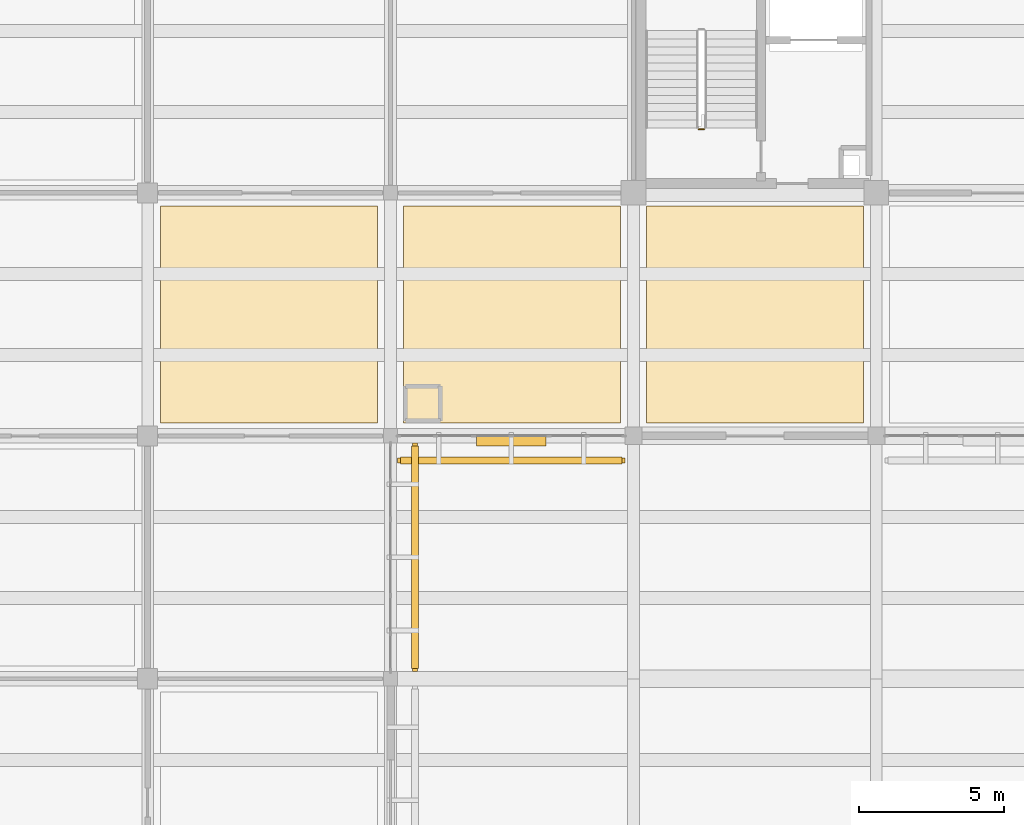
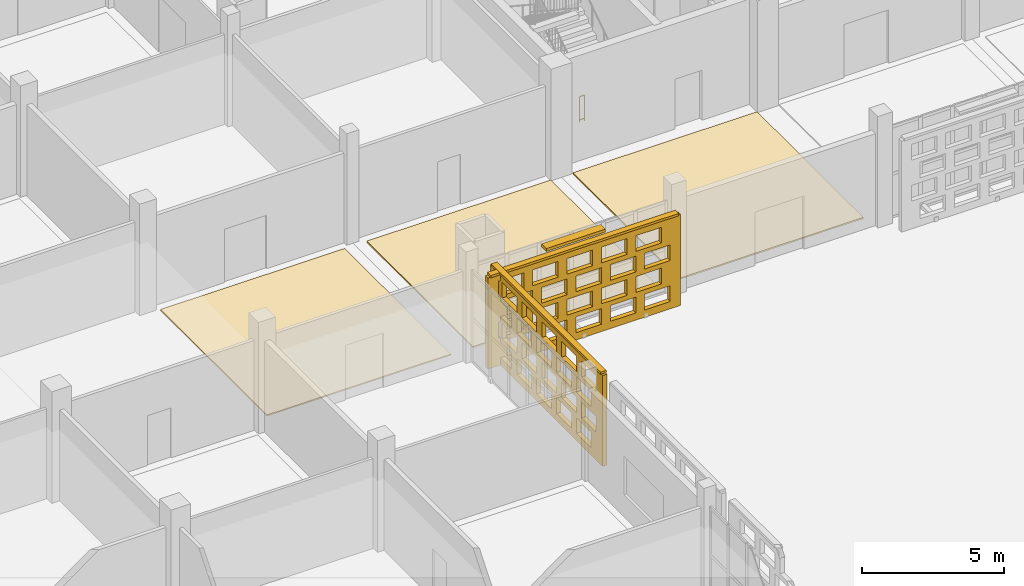
# One storey, part 98 of 129: 5 coverings, 3 shading devices, 1 railing, 40 openings.
"""IFC4 building model written with IfcOpenShell, lengths in metres."""

import ifcopenshell
import ifcopenshell.guid

model = None  # the IFC model being written
_history = None  # IfcOwnerHistory: only IFC2X3 demands one
_inside = {}  # id of a spatial element -> (the spatial element, [elements in it])
_under = {}  # id of a project, library or spatial element -> (it, [spatial elements below it])
_declared = {}  # id of a project -> (the project, [libraries it declares])
_typed = {}  # id of a type object -> (the type object, [elements of that type])
_made_of = {}  # id of a material, layer set ... -> (it, [elements and type objects made of it])


def new_model(schema):
    """Start an empty IFC model of exactly this schema.

    Asked for "IFC4X3", IfcOpenShell would pick the latest addendum, in which some entities
    have other attributes; the version numbers below select the first issue.
    IFC2X3 requires an IfcOwnerHistory on every rooted entity: one is made here for all.
    """
    global model, _history
    if schema == "IFC4X3":
        model = ifcopenshell.file(schema_version=(4, 3, 0, 0))
    else:
        model = ifcopenshell.file(schema=schema)
    _inside.clear()
    _under.clear()
    _declared.clear()
    _typed.clear()
    _made_of.clear()
    _history = None
    if model.schema == "IFC2X3":
        org = make("IfcOrganization", Name="unknown")
        user = make(
            "IfcPersonAndOrganization",
            ThePerson=make("IfcPerson", FamilyName="unknown"),
            TheOrganization=org,
        )
        app = make(
            "IfcApplication",
            ApplicationDeveloper=org,
            Version="unknown",
            ApplicationFullName="unknown",
            ApplicationIdentifier="unknown",
        )
        _history = make(
            "IfcOwnerHistory",
            OwningUser=user,
            OwningApplication=app,
            ChangeAction="ADDED",
            CreationDate=0,
        )
    return model


def make(cls, **values):
    """One entity of the class cls with the attributes given. An attribute that is None is left unset."""
    return model.create_entity(
        cls, **{name: value for name, value in values.items() if value is not None}
    )


def rooted(cls, **values):
    """An entity with a GlobalId (a new one), such as an element, a storey or a relation."""
    return make(cls, GlobalId=ifcopenshell.guid.new(), OwnerHistory=_history, **values)


def si_unit(unit_type, name, prefix=None):
    """IfcSIUnit, for example si_unit("LENGTHUNIT", "METRE", prefix="MILLI")."""
    return make("IfcSIUnit", UnitType=unit_type, Prefix=prefix, Name=name)


def assignment(units):
    """IfcUnitAssignment: the units of a project."""
    return None if units is None else make("IfcUnitAssignment", Units=units)


def point(xyz):
    """IfcCartesianPoint."""
    return None if xyz is None else make("IfcCartesianPoint", Coordinates=xyz)


def direction(xyz):
    """IfcDirection."""
    return None if xyz is None else make("IfcDirection", DirectionRatios=xyz)


def frame(location, z_axis=None, x_axis=None):
    """IfcAxis2Placement3D, a coordinate frame: its origin and axes. An axis left out is left unset."""
    return make(
        "IfcAxis2Placement3D",
        Location=point(location),
        Axis=direction(z_axis),
        RefDirection=direction(x_axis),
    )


def frame_2d(location, x_axis=None):
    """IfcAxis2Placement2D, a coordinate frame in the plane: its origin and x axis."""
    return make(
        "IfcAxis2Placement2D", Location=point(location), RefDirection=direction(x_axis)
    )


def origin():
    """The frame at (0, 0, 0) with its axes left unset."""
    return frame((0.0, 0.0, 0.0))


def origin_2d():
    """The frame at (0, 0) in the plane with its x axis left unset."""
    return frame_2d((0.0, 0.0))


def place(relative_to, where):
    """IfcLocalPlacement: puts the frame where relative to a parent placement (None: the world)."""
    return make(
        "IfcLocalPlacement", PlacementRelTo=relative_to, RelativePlacement=where
    )


def context(
    kind, dimensions, precision=None, world=None, true_north=None, identifier=None
):
    """IfcGeometricRepresentationContext, for example the 3D "Model" context."""
    return make(
        "IfcGeometricRepresentationContext",
        ContextIdentifier=identifier,
        ContextType=kind,
        CoordinateSpaceDimension=dimensions,
        Precision=precision,
        WorldCoordinateSystem=world,
        TrueNorth=true_north,
    )


def subcontext(parent, identifier, kind, view, scale=None):
    """IfcGeometricRepresentationSubContext, for example "Body" below "Model"."""
    return make(
        "IfcGeometricRepresentationSubContext",
        ContextIdentifier=identifier,
        ContextType=kind,
        ParentContext=parent,
        TargetScale=scale,
        TargetView=view,
    )


def project(units=None, contexts=None):
    """IfcProject with its units and contexts."""
    return rooted(
        "IfcProject",
        Name="project",
        RepresentationContexts=contexts,
        UnitsInContext=assignment(units),
    )


def spatial(cls, under=None, at=None, **own):
    """A site, building, storey or space (cls), placed at a placement, below another one or the project."""
    s = rooted(cls, ObjectPlacement=at, **own)
    if under is not None:
        _under.setdefault(under.id(), (under, []))[1].append(s)
    return s


def profile(cls, at=None, kind="AREA", **sizes):
    """A parametric profile (cls). Its sizes go by their IFC names, for example OverallWidth=200.0."""
    return make(cls, ProfileType=kind, Position=at, **sizes)


def rectangle(**sizes):
    """IfcRectangleProfileDef."""
    return profile("IfcRectangleProfileDef", **sizes)


def circle(**sizes):
    """IfcCircleProfileDef."""
    return profile("IfcCircleProfileDef", **sizes)


def extrude(swept, where, along, depth):
    """IfcExtrudedAreaSolid: the profile swept, set in the frame where, extruded along a direction by depth."""
    return make(
        "IfcExtrudedAreaSolid",
        SweptArea=swept,
        Position=where,
        ExtrudedDirection=direction(along),
        Depth=depth,
    )


def shape(context_of_items, identifier, shape_type, items):
    """IfcShapeRepresentation: the items that make up one representation, for example the "Body"."""
    return make(
        "IfcShapeRepresentation",
        ContextOfItems=context_of_items,
        RepresentationIdentifier=identifier,
        RepresentationType=shape_type,
        Items=items,
    )


def material(Name=None, Category=None):
    """IfcMaterial."""
    return make("IfcMaterial", Name=Name, Category=Category)


def layer(
    of_material, thickness, ventilated=None, Name=None, Category=None, Priority=None
):
    """IfcMaterialLayer: one layer of a wall or slab, of a material (None: an air gap)."""
    return make(
        "IfcMaterialLayer",
        Material=of_material,
        LayerThickness=thickness,
        IsVentilated=ventilated,
        Name=Name,
        Category=Category,
        Priority=Priority,
    )


def layer_set(layers, Name=None):
    """IfcMaterialLayerSet."""
    return make("IfcMaterialLayerSet", MaterialLayers=layers, LayerSetName=Name)


def made_of(thing, what):
    """Note that an element or type object is made of a material, layer set ...; save() writes the relation."""
    if what is not None:
        _made_of.setdefault(what.id(), (what, []))[1].append(thing)
    return thing


def type_object(cls, material=None, **own):
    """A type object (cls), such as IfcWallType, which elements share."""
    return made_of(rooted(cls, **own), material)


def element(
    cls,
    number,
    at=None,
    inside=None,
    cuts=None,
    type_object=None,
    material=None,
    context=None,
    identifier="Body",
    shape_type=None,
    held_by="IfcProductDefinitionShape",
    body=None,
    shapes=None,
    **own,
):
    """One element of the class cls, such as IfcWall. Its Tag is "e" and its number.

    at: its placement. inside: the storey or other place that contains it. cuts: it is an
    opening in that element (IfcRelVoidsElement). A single representation is given by context,
    identifier, shape_type and body (its items); several are given by shapes. held_by: the class
    of the entity that holds the representations. save() writes the other relations.
    """
    e = rooted(cls, Tag="e%d" % number, ObjectPlacement=at, **own)
    if body is not None:
        shapes = [shape(context, identifier, shape_type, body)]
    if shapes is not None:
        e.Representation = make(held_by, Representations=shapes)
    if inside is not None:
        _inside.setdefault(inside.id(), (inside, []))[1].append(e)
    if cuts is not None:
        rooted(
            "IfcRelVoidsElement", RelatingBuildingElement=cuts, RelatedOpeningElement=e
        )
    if type_object is not None:
        _typed.setdefault(type_object.id(), (type_object, []))[1].append(e)
    return made_of(e, material)


def aggregate(whole, parts):
    """IfcRelAggregates: a whole, such as a stair, and the parts it consists of."""
    return rooted("IfcRelAggregates", RelatingObject=whole, RelatedObjects=parts)


def save(model, path):
    """Write the relations noted so far, then the file.

    IfcRelAggregates (storeys below a building ...), IfcRelContainedInSpatialStructure (elements
    in a storey), IfcRelDefinesByType, IfcRelAssociatesMaterial and IfcRelDeclares: one each for
    every whole, place, type object, material and project.
    """
    for whole, parts in _under.values():
        aggregate(whole, parts)
    for where, things in _inside.values():
        rooted(
            "IfcRelContainedInSpatialStructure",
            RelatedElements=things,
            RelatingStructure=where,
        )
    for kind, things in _typed.values():
        rooted("IfcRelDefinesByType", RelatedObjects=things, RelatingType=kind)
    for what, things in _made_of.values():
        rooted("IfcRelAssociatesMaterial", RelatedObjects=things, RelatingMaterial=what)
    for by, libraries in _declared.values():
        rooted("IfcRelDeclares", RelatingContext=by, RelatedDefinitions=libraries)
    model.write(path)


model = new_model("IFC4")

# Units and contexts
model_context = context("Model", 3, precision=1e-05, world=origin(), true_north=direction((0.0, 1.0)))
body_context = subcontext(model_context, "Body", "Model", "MODEL_VIEW")
ifc_project = project(units=[si_unit("LENGTHUNIT", "METRE"), si_unit("AREAUNIT", "SQUARE_METRE"), si_unit("VOLUMEUNIT", "CUBIC_METRE"), si_unit("PLANEANGLEUNIT", "RADIAN"), si_unit("MASSUNIT", "GRAM", prefix="KILO")], contexts=[model_context])

# Site, building, storey
site_placement = place(None, origin())
site = spatial("IfcSite", under=ifc_project, at=site_placement, CompositionType="ELEMENT")
building_placement = place(site_placement, origin())
building = spatial("IfcBuilding", under=site, at=building_placement, Name="Varnapada Polytechnic", CompositionType="ELEMENT")
storey_placement = place(building_placement, origin())
storey = spatial("IfcBuildingStorey", under=building, at=storey_placement, Name="L00", CompositionType="ELEMENT", Elevation=0.0)

# Coverings
ifc_material_1 = material(Name="Anti-Static Raised Laboratory Flooring")
ifc_layer_1 = layer(ifc_material_1, 0.06005859375)
ifc_layer_set_1 = layer_set([ifc_layer_1], Name="Anti-Static Raised Laboratory Flooring")
covering_type_1 = type_object("IfcCoveringType", Name="Floor Finish FLR-02", PredefinedType="FLOORING", material=ifc_layer_set_1)
for number, where, z_axis, x_axis, name in (
    (1, (46.199951171875, 88.199951171875, 0.0), (0.0, 0.0, 1.0), (1.0, 0.0, 0.0), "L00 floor finish panel (6,11)"),
    (2, (54.60009765625, 88.199951171875, 0.0), (0.0, 0.0, 1.0), (1.0, 0.0, 0.0), "L00 floor finish panel (7,11)"),
):
    element("IfcCovering", number, at=place(storey_placement, frame(where, z_axis=z_axis, x_axis=x_axis)), inside=storey, type_object=covering_type_1, Name=name, PredefinedType="FLOORING", context=body_context, shape_type="SweptSolid", body=[
        extrude(rectangle(XDim=7.5, YDim=7.5, at=origin_2d()), origin(), (0.0, 0.0, 1.0), 0.06005859375),
    ])
ifc_material_2 = material(Name="End-Grain Timber Studio Block Flooring", Category="wood")
ifc_layer_2 = layer(ifc_material_2, 0.054931640625)
ifc_layer_set_2 = layer_set([ifc_layer_2], Name="End-Grain Timber Studio Block Flooring")
covering_type_2 = type_object("IfcCoveringType", Name="Floor Finish FLR-04", PredefinedType="FLOORING", material=ifc_layer_set_2)
covering_1_placement = place(storey_placement, frame((37.800048828125, 88.199951171875, 0.0), z_axis=(0.0, 0.0, 1.0), x_axis=(1.0, 0.0, 0.0)))
element("IfcCovering", 3, at=covering_1_placement, inside=storey, type_object=covering_type_2, Name="L00 floor finish panel (5,11)", PredefinedType="FLOORING", context=body_context, shape_type="SweptSolid", body=[
    extrude(rectangle(XDim=7.5, YDim=7.5, at=origin_2d()), origin(), (0.0, 0.0, 1.0), 0.054931640625),
])

# Shading device
ifc_material_3 = material(Name="Anodised aluminium", Category="aluminium")
ifc_layer_3 = layer(ifc_material_3, 0.35009765625)
ifc_layer_set_3 = layer_set([ifc_layer_3], Name="Anodised aluminium")
shading_device_type_1 = type_object("IfcShadingDeviceType", Name="Solar Louvre LVR-01", PredefinedType="JALOUSIE", material=ifc_layer_set_3)
shading_device_1_placement = place(storey_placement, frame((46.175048828125, 83.820068359375, 3.760009765625), z_axis=(0.0, 0.0, 1.0), x_axis=(-1.0, 0.0, 0.0)))
element("IfcShadingDevice", 4, at=shading_device_1_placement, inside=storey, type_object=shading_device_type_1, Name="L00 aluminium sun louvre 37", PredefinedType="JALOUSIE", context=body_context, shape_type="SweptSolid", body=[
    extrude(rectangle(XDim=2.39990234375, YDim=0.340087890625, at=origin_2d()), origin(), (0.0, 0.0, 1.0), 0.1201171875),
])

# Railing
ifc_material_4 = material(Name="Brushed Stainless Steel 316", Category="steel")
railing_type = type_object("IfcRailingType", Name="Stair Well Guard Rail SGR-01", PredefinedType="BALUSTRADE", material=ifc_material_4)
railing_placement = place(storey_placement, frame((52.85009765625, 94.60009765625, 0.0)))
element("IfcRailing", 5, at=railing_placement, inside=storey, type_object=railing_type, Name="L00 ST-4 stair guard 4", PredefinedType="BALUSTRADE", context=body_context, shape_type="SweptSolid", body=[
    extrude(circle(Radius=0.02392578125, at=origin_2d()), frame((0.0, 0.0, 1.09619140625), z_axis=(-1.0, 0.0, 0.0), x_axis=(0.0, -1.0, 0.0)), (0.0, 0.0, 1.0), 0.2001953125),
    extrude(circle(Radius=0.02392578125, at=origin_2d()), frame((0.0, 0.0, 0.10009765625), z_axis=(-1.0, 0.0, 0.0), x_axis=(0.0, -1.0, 0.0)), (0.0, 0.0, 1.0), 0.2001953125),
    extrude(circle(Radius=0.02099609375, at=origin_2d()), origin(), (0.0, 0.0, 1.0), 1.072021484375),
    extrude(circle(Radius=0.02099609375, at=origin_2d()), frame((-0.2001953125, 0.0, 0.0)), (0.0, 0.0, 1.0), 1.072021484375),
])

# Covering, openings
ifc_material_5 = material(Name="Earth-toned architectural terracotta screen block", Category="masonry")
ifc_layer_4 = layer(ifc_material_5, 0.1201171875)
ifc_layer_set_4 = layer_set([ifc_layer_4], Name="Earth-toned architectural terracotta screen block")
covering_type_3 = type_object("IfcCoveringType", Name="Terracotta Screen Cladding CLD-01", PredefinedType="CLADDING", material=ifc_layer_set_4)
covering_2_placement = place(storey_placement, frame((42.85009765625, 83.75, 0.0), z_axis=(0.0, 0.0, 1.0), x_axis=(0.0, -1.0, 0.0)))
covering_2 = element("IfcCovering", 6, at=covering_2_placement, inside=storey, type_object=covering_type_3, Name="L00 perforated terracotta block screen (29)", PredefinedType="CLADDING", context=body_context, shape_type="SweptSolid", body=[
    extrude(rectangle(XDim=7.89990234375, YDim=0.179931640625, at=frame_2d((3.949951171875, 0.0))), origin(), (0.0, 0.0, 1.0), 3.919921875),
])
opening_1_placement = place(covering_2_placement, frame((0.449951171875, 0.0, 0.313720703125)))
element("IfcOpeningElement", 7, at=opening_1_placement, cuts=covering_2, Name="Screen perforation TBS-L00-028.1", PredefinedType="OPENING", context=body_context, shape_type="SweptSolid", body=[
    extrude(rectangle(XDim=1.0400390625, YDim=0.679931640625, at=frame_2d((0.52001953125, 0.33984375))), frame((0.0, 0.099853515625, 0.0), z_axis=(0.0, -1.0, 0.0), x_axis=(1.0, 0.0, 0.0)), (0.0, 0.0, 1.0), 0.199951171875),
])
opening_2_placement = place(covering_2_placement, frame((1.85009765625, 0.0, 0.313720703125)))
element("IfcOpeningElement", 8, at=opening_2_placement, cuts=covering_2, Name="Screen perforation TBS-L00-028.2", PredefinedType="OPENING", context=body_context, shape_type="SweptSolid", body=[
    extrude(rectangle(XDim=1.0400390625, YDim=0.679931640625, at=frame_2d((0.52001953125, 0.33984375))), frame((0.0, 0.099853515625, 0.0), z_axis=(0.0, -1.0, 0.0), x_axis=(1.0, 0.0, 0.0)), (0.0, 0.0, 1.0), 0.199951171875),
])
opening_3_placement = place(covering_2_placement, frame((3.25, 0.0, 0.313720703125)))
element("IfcOpeningElement", 9, at=opening_3_placement, cuts=covering_2, Name="Screen perforation TBS-L00-028.3", PredefinedType="OPENING", context=body_context, shape_type="SweptSolid", body=[
    extrude(rectangle(XDim=1.0400390625, YDim=0.679931640625, at=frame_2d((0.52001953125, 0.33984375))), frame((0.0, 0.099853515625, 0.0), z_axis=(0.0, -1.0, 0.0), x_axis=(1.0, 0.0, 0.0)), (0.0, 0.0, 1.0), 0.199951171875),
])
opening_4_placement = place(covering_2_placement, frame((4.64990234375, 0.0, 0.313720703125)))
element("IfcOpeningElement", 10, at=opening_4_placement, cuts=covering_2, Name="Screen perforation TBS-L00-028.4", PredefinedType="OPENING", context=body_context, shape_type="SweptSolid", body=[
    extrude(rectangle(XDim=1.0400390625, YDim=0.679931640625, at=frame_2d((0.52001953125, 0.33984375))), frame((0.0, 0.099853515625, 0.0), z_axis=(0.0, -1.0, 0.0), x_axis=(1.0, 0.0, 0.0)), (0.0, 0.0, 1.0), 0.199951171875),
])
opening_5_placement = place(covering_2_placement, frame((6.050048828125, 0.0, 0.313720703125)))
element("IfcOpeningElement", 11, at=opening_5_placement, cuts=covering_2, Name="Screen perforation TBS-L00-028.5", PredefinedType="OPENING", context=body_context, shape_type="SweptSolid", body=[
    extrude(rectangle(XDim=1.0400390625, YDim=0.679931640625, at=frame_2d((0.52001953125, 0.33984375))), frame((0.0, 0.099853515625, 0.0), z_axis=(0.0, -1.0, 0.0), x_axis=(1.0, 0.0, 0.0)), (0.0, 0.0, 1.0), 0.199951171875),
])
opening_6_placement = place(covering_2_placement, frame((0.81005859375, 0.0, 1.195556640625)))
element("IfcOpeningElement", 12, at=opening_6_placement, cuts=covering_2, Name="Screen perforation TBS-L00-028.6", PredefinedType="OPENING", context=body_context, shape_type="SweptSolid", body=[
    extrude(rectangle(XDim=1.0400390625, YDim=0.679931640625, at=frame_2d((0.52001953125, 0.33984375))), frame((0.0, 0.099853515625, 0.0), z_axis=(0.0, -1.0, 0.0), x_axis=(1.0, 0.0, 0.0)), (0.0, 0.0, 1.0), 0.199951171875),
])
opening_7_placement = place(covering_2_placement, frame((2.2099609375, 0.0, 1.195556640625)))
element("IfcOpeningElement", 13, at=opening_7_placement, cuts=covering_2, Name="Screen perforation TBS-L00-028.7", PredefinedType="OPENING", context=body_context, shape_type="SweptSolid", body=[
    extrude(rectangle(XDim=1.0400390625, YDim=0.679931640625, at=frame_2d((0.52001953125, 0.33984375))), frame((0.0, 0.099853515625, 0.0), z_axis=(0.0, -1.0, 0.0), x_axis=(1.0, 0.0, 0.0)), (0.0, 0.0, 1.0), 0.199951171875),
])
opening_8_placement = place(covering_2_placement, frame((3.610107421875, 0.0, 1.195556640625)))
element("IfcOpeningElement", 14, at=opening_8_placement, cuts=covering_2, Name="Screen perforation TBS-L00-028.8", PredefinedType="OPENING", context=body_context, shape_type="SweptSolid", body=[
    extrude(rectangle(XDim=1.0400390625, YDim=0.679931640625, at=frame_2d((0.52001953125, 0.33984375))), frame((0.0, 0.099853515625, 0.0), z_axis=(0.0, -1.0, 0.0), x_axis=(1.0, 0.0, 0.0)), (0.0, 0.0, 1.0), 0.199951171875),
])
opening_9_placement = place(covering_2_placement, frame((5.010009765625, 0.0, 1.195556640625)))
element("IfcOpeningElement", 15, at=opening_9_placement, cuts=covering_2, Name="Screen perforation TBS-L00-028.9", PredefinedType="OPENING", context=body_context, shape_type="SweptSolid", body=[
    extrude(rectangle(XDim=1.0400390625, YDim=0.679931640625, at=frame_2d((0.52001953125, 0.33984375))), frame((0.0, 0.099853515625, 0.0), z_axis=(0.0, -1.0, 0.0), x_axis=(1.0, 0.0, 0.0)), (0.0, 0.0, 1.0), 0.199951171875),
])
opening_10_placement = place(covering_2_placement, frame((6.409912109375, 0.0, 1.195556640625)))
element("IfcOpeningElement", 16, at=opening_10_placement, cuts=covering_2, Name="Screen perforation TBS-L00-028.10", PredefinedType="OPENING", context=body_context, shape_type="SweptSolid", body=[
    extrude(rectangle(XDim=1.0400390625, YDim=0.679931640625, at=frame_2d((0.52001953125, 0.33984375))), frame((0.0, 0.099853515625, 0.0), z_axis=(0.0, -1.0, 0.0), x_axis=(1.0, 0.0, 0.0)), (0.0, 0.0, 1.0), 0.199951171875),
])
opening_11_placement = place(covering_2_placement, frame((0.449951171875, 0.0, 2.07763671875)))
element("IfcOpeningElement", 17, at=opening_11_placement, cuts=covering_2, Name="Screen perforation TBS-L00-028.11", PredefinedType="OPENING", context=body_context, shape_type="SweptSolid", body=[
    extrude(rectangle(XDim=1.0400390625, YDim=0.679931640625, at=frame_2d((0.52001953125, 0.33984375))), frame((0.0, 0.099853515625, 0.0), z_axis=(0.0, -1.0, 0.0), x_axis=(1.0, 0.0, 0.0)), (0.0, 0.0, 1.0), 0.199951171875),
])
opening_12_placement = place(covering_2_placement, frame((1.85009765625, 0.0, 2.07763671875)))
element("IfcOpeningElement", 18, at=opening_12_placement, cuts=covering_2, Name="Screen perforation TBS-L00-028.12", PredefinedType="OPENING", context=body_context, shape_type="SweptSolid", body=[
    extrude(rectangle(XDim=1.0400390625, YDim=0.679931640625, at=frame_2d((0.52001953125, 0.33984375))), frame((0.0, 0.099853515625, 0.0), z_axis=(0.0, -1.0, 0.0), x_axis=(1.0, 0.0, 0.0)), (0.0, 0.0, 1.0), 0.199951171875),
])
opening_13_placement = place(covering_2_placement, frame((3.25, 0.0, 2.07763671875)))
element("IfcOpeningElement", 19, at=opening_13_placement, cuts=covering_2, Name="Screen perforation TBS-L00-028.13", PredefinedType="OPENING", context=body_context, shape_type="SweptSolid", body=[
    extrude(rectangle(XDim=1.0400390625, YDim=0.679931640625, at=frame_2d((0.52001953125, 0.33984375))), frame((0.0, 0.099853515625, 0.0), z_axis=(0.0, -1.0, 0.0), x_axis=(1.0, 0.0, 0.0)), (0.0, 0.0, 1.0), 0.199951171875),
])
opening_14_placement = place(covering_2_placement, frame((4.64990234375, 0.0, 2.07763671875)))
element("IfcOpeningElement", 20, at=opening_14_placement, cuts=covering_2, Name="Screen perforation TBS-L00-028.14", PredefinedType="OPENING", context=body_context, shape_type="SweptSolid", body=[
    extrude(rectangle(XDim=1.0400390625, YDim=0.679931640625, at=frame_2d((0.52001953125, 0.33984375))), frame((0.0, 0.099853515625, 0.0), z_axis=(0.0, -1.0, 0.0), x_axis=(1.0, 0.0, 0.0)), (0.0, 0.0, 1.0), 0.199951171875),
])
opening_15_placement = place(covering_2_placement, frame((6.050048828125, 0.0, 2.07763671875)))
element("IfcOpeningElement", 21, at=opening_15_placement, cuts=covering_2, Name="Screen perforation TBS-L00-028.15", PredefinedType="OPENING", context=body_context, shape_type="SweptSolid", body=[
    extrude(rectangle(XDim=1.0400390625, YDim=0.679931640625, at=frame_2d((0.52001953125, 0.33984375))), frame((0.0, 0.099853515625, 0.0), z_axis=(0.0, -1.0, 0.0), x_axis=(1.0, 0.0, 0.0)), (0.0, 0.0, 1.0), 0.199951171875),
])
opening_16_placement = place(covering_2_placement, frame((0.81005859375, 0.0, 2.959716796875)))
element("IfcOpeningElement", 22, at=opening_16_placement, cuts=covering_2, Name="Screen perforation TBS-L00-028.16", PredefinedType="OPENING", context=body_context, shape_type="SweptSolid", body=[
    extrude(rectangle(XDim=1.0400390625, YDim=0.679931640625, at=frame_2d((0.52001953125, 0.33984375))), frame((0.0, 0.099853515625, 0.0), z_axis=(0.0, -1.0, 0.0), x_axis=(1.0, 0.0, 0.0)), (0.0, 0.0, 1.0), 0.199951171875),
])
opening_17_placement = place(covering_2_placement, frame((2.2099609375, 0.0, 2.959716796875)))
element("IfcOpeningElement", 23, at=opening_17_placement, cuts=covering_2, Name="Screen perforation TBS-L00-028.17", PredefinedType="OPENING", context=body_context, shape_type="SweptSolid", body=[
    extrude(rectangle(XDim=1.0400390625, YDim=0.679931640625, at=frame_2d((0.52001953125, 0.33984375))), frame((0.0, 0.099853515625, 0.0), z_axis=(0.0, -1.0, 0.0), x_axis=(1.0, 0.0, 0.0)), (0.0, 0.0, 1.0), 0.199951171875),
])
opening_18_placement = place(covering_2_placement, frame((3.610107421875, 0.0, 2.959716796875)))
element("IfcOpeningElement", 24, at=opening_18_placement, cuts=covering_2, Name="Screen perforation TBS-L00-028.18", PredefinedType="OPENING", context=body_context, shape_type="SweptSolid", body=[
    extrude(rectangle(XDim=1.0400390625, YDim=0.679931640625, at=frame_2d((0.52001953125, 0.33984375))), frame((0.0, 0.099853515625, 0.0), z_axis=(0.0, -1.0, 0.0), x_axis=(1.0, 0.0, 0.0)), (0.0, 0.0, 1.0), 0.199951171875),
])
opening_19_placement = place(covering_2_placement, frame((5.010009765625, 0.0, 2.959716796875)))
element("IfcOpeningElement", 25, at=opening_19_placement, cuts=covering_2, Name="Screen perforation TBS-L00-028.19", PredefinedType="OPENING", context=body_context, shape_type="SweptSolid", body=[
    extrude(rectangle(XDim=1.0400390625, YDim=0.679931640625, at=frame_2d((0.52001953125, 0.33984375))), frame((0.0, 0.099853515625, 0.0), z_axis=(0.0, -1.0, 0.0), x_axis=(1.0, 0.0, 0.0)), (0.0, 0.0, 1.0), 0.199951171875),
])
opening_20_placement = place(covering_2_placement, frame((6.409912109375, 0.0, 2.959716796875)))
element("IfcOpeningElement", 26, at=opening_20_placement, cuts=covering_2, Name="Screen perforation TBS-L00-028.20", PredefinedType="OPENING", context=body_context, shape_type="SweptSolid", body=[
    extrude(rectangle(XDim=1.0400390625, YDim=0.679931640625, at=frame_2d((0.52001953125, 0.33984375))), frame((0.0, 0.099853515625, 0.0), z_axis=(0.0, -1.0, 0.0), x_axis=(1.0, 0.0, 0.0)), (0.0, 0.0, 1.0), 0.199951171875),
])

covering_3_placement = place(storey_placement, frame((50.10009765625, 83.14990234375, 0.0), z_axis=(0.0, 0.0, 1.0), x_axis=(-1.0, 0.0, 0.0)))
covering_3 = element("IfcCovering", 27, at=covering_3_placement, inside=storey, type_object=covering_type_3, Name="L00 perforated terracotta block screen (37)", PredefinedType="CLADDING", context=body_context, shape_type="SweptSolid", body=[
    extrude(rectangle(XDim=7.85009765625, YDim=0.179931640625, at=frame_2d((3.925048828125, 0.0))), origin(), (0.0, 0.0, 1.0), 3.919921875),
])
opening_21_placement = place(covering_3_placement, frame((0.425048828125, 0.0, 0.313720703125)))
element("IfcOpeningElement", 28, at=opening_21_placement, cuts=covering_3, Name="Screen perforation TBS-L00-036.1", PredefinedType="OPENING", context=body_context, shape_type="SweptSolid", body=[
    extrude(rectangle(XDim=1.0400390625, YDim=0.679931640625, at=frame_2d((0.52001953125, 0.33984375))), frame((0.0, 0.099853515625, 0.0), z_axis=(0.0, -1.0, 0.0), x_axis=(1.0, 0.0, 0.0)), (0.0, 0.0, 1.0), 0.199951171875),
])
opening_22_placement = place(covering_3_placement, frame((1.824951171875, 0.0, 0.313720703125)))
element("IfcOpeningElement", 29, at=opening_22_placement, cuts=covering_3, Name="Screen perforation TBS-L00-036.2", PredefinedType="OPENING", context=body_context, shape_type="SweptSolid", body=[
    extrude(rectangle(XDim=1.0400390625, YDim=0.679931640625, at=frame_2d((0.52001953125, 0.33984375))), frame((0.0, 0.099853515625, 0.0), z_axis=(0.0, -1.0, 0.0), x_axis=(1.0, 0.0, 0.0)), (0.0, 0.0, 1.0), 0.199951171875),
])
opening_23_placement = place(covering_3_placement, frame((3.22509765625, 0.0, 0.313720703125)))
element("IfcOpeningElement", 30, at=opening_23_placement, cuts=covering_3, Name="Screen perforation TBS-L00-036.3", PredefinedType="OPENING", context=body_context, shape_type="SweptSolid", body=[
    extrude(rectangle(XDim=1.0400390625, YDim=0.679931640625, at=frame_2d((0.52001953125, 0.33984375))), frame((0.0, 0.099853515625, 0.0), z_axis=(0.0, -1.0, 0.0), x_axis=(1.0, 0.0, 0.0)), (0.0, 0.0, 1.0), 0.199951171875),
])
opening_24_placement = place(covering_3_placement, frame((4.625, 0.0, 0.313720703125)))
element("IfcOpeningElement", 31, at=opening_24_placement, cuts=covering_3, Name="Screen perforation TBS-L00-036.4", PredefinedType="OPENING", context=body_context, shape_type="SweptSolid", body=[
    extrude(rectangle(XDim=1.0400390625, YDim=0.679931640625, at=frame_2d((0.52001953125, 0.33984375))), frame((0.0, 0.099853515625, 0.0), z_axis=(0.0, -1.0, 0.0), x_axis=(1.0, 0.0, 0.0)), (0.0, 0.0, 1.0), 0.199951171875),
])
opening_25_placement = place(covering_3_placement, frame((6.02490234375, 0.0, 0.313720703125)))
element("IfcOpeningElement", 32, at=opening_25_placement, cuts=covering_3, Name="Screen perforation TBS-L00-036.5", PredefinedType="OPENING", context=body_context, shape_type="SweptSolid", body=[
    extrude(rectangle(XDim=1.0400390625, YDim=0.679931640625, at=frame_2d((0.52001953125, 0.33984375))), frame((0.0, 0.099853515625, 0.0), z_axis=(0.0, -1.0, 0.0), x_axis=(1.0, 0.0, 0.0)), (0.0, 0.0, 1.0), 0.199951171875),
])
opening_26_placement = place(covering_3_placement, frame((0.784912109375, 0.0, 1.195556640625)))
element("IfcOpeningElement", 33, at=opening_26_placement, cuts=covering_3, Name="Screen perforation TBS-L00-036.6", PredefinedType="OPENING", context=body_context, shape_type="SweptSolid", body=[
    extrude(rectangle(XDim=1.0400390625, YDim=0.679931640625, at=frame_2d((0.52001953125, 0.33984375))), frame((0.0, 0.099853515625, 0.0), z_axis=(0.0, -1.0, 0.0), x_axis=(1.0, 0.0, 0.0)), (0.0, 0.0, 1.0), 0.199951171875),
])
opening_27_placement = place(covering_3_placement, frame((2.18505859375, 0.0, 1.195556640625)))
element("IfcOpeningElement", 34, at=opening_27_placement, cuts=covering_3, Name="Screen perforation TBS-L00-036.7", PredefinedType="OPENING", context=body_context, shape_type="SweptSolid", body=[
    extrude(rectangle(XDim=1.0400390625, YDim=0.679931640625, at=frame_2d((0.52001953125, 0.33984375))), frame((0.0, 0.099853515625, 0.0), z_axis=(0.0, -1.0, 0.0), x_axis=(1.0, 0.0, 0.0)), (0.0, 0.0, 1.0), 0.199951171875),
])
opening_28_placement = place(covering_3_placement, frame((3.5849609375, 0.0, 1.195556640625)))
element("IfcOpeningElement", 35, at=opening_28_placement, cuts=covering_3, Name="Screen perforation TBS-L00-036.8", PredefinedType="OPENING", context=body_context, shape_type="SweptSolid", body=[
    extrude(rectangle(XDim=1.0400390625, YDim=0.679931640625, at=frame_2d((0.52001953125, 0.33984375))), frame((0.0, 0.099853515625, 0.0), z_axis=(0.0, -1.0, 0.0), x_axis=(1.0, 0.0, 0.0)), (0.0, 0.0, 1.0), 0.199951171875),
])
opening_29_placement = place(covering_3_placement, frame((4.985107421875, 0.0, 1.195556640625)))
element("IfcOpeningElement", 36, at=opening_29_placement, cuts=covering_3, Name="Screen perforation TBS-L00-036.9", PredefinedType="OPENING", context=body_context, shape_type="SweptSolid", body=[
    extrude(rectangle(XDim=1.0400390625, YDim=0.679931640625, at=frame_2d((0.52001953125, 0.33984375))), frame((0.0, 0.099853515625, 0.0), z_axis=(0.0, -1.0, 0.0), x_axis=(1.0, 0.0, 0.0)), (0.0, 0.0, 1.0), 0.199951171875),
])
opening_30_placement = place(covering_3_placement, frame((6.385009765625, 0.0, 1.195556640625)))
element("IfcOpeningElement", 37, at=opening_30_placement, cuts=covering_3, Name="Screen perforation TBS-L00-036.10", PredefinedType="OPENING", context=body_context, shape_type="SweptSolid", body=[
    extrude(rectangle(XDim=1.0400390625, YDim=0.679931640625, at=frame_2d((0.52001953125, 0.33984375))), frame((0.0, 0.099853515625, 0.0), z_axis=(0.0, -1.0, 0.0), x_axis=(1.0, 0.0, 0.0)), (0.0, 0.0, 1.0), 0.199951171875),
])
opening_31_placement = place(covering_3_placement, frame((0.425048828125, 0.0, 2.07763671875)))
element("IfcOpeningElement", 38, at=opening_31_placement, cuts=covering_3, Name="Screen perforation TBS-L00-036.11", PredefinedType="OPENING", context=body_context, shape_type="SweptSolid", body=[
    extrude(rectangle(XDim=1.0400390625, YDim=0.679931640625, at=frame_2d((0.52001953125, 0.33984375))), frame((0.0, 0.099853515625, 0.0), z_axis=(0.0, -1.0, 0.0), x_axis=(1.0, 0.0, 0.0)), (0.0, 0.0, 1.0), 0.199951171875),
])
opening_32_placement = place(covering_3_placement, frame((1.824951171875, 0.0, 2.07763671875)))
element("IfcOpeningElement", 39, at=opening_32_placement, cuts=covering_3, Name="Screen perforation TBS-L00-036.12", PredefinedType="OPENING", context=body_context, shape_type="SweptSolid", body=[
    extrude(rectangle(XDim=1.0400390625, YDim=0.679931640625, at=frame_2d((0.52001953125, 0.33984375))), frame((0.0, 0.099853515625, 0.0), z_axis=(0.0, -1.0, 0.0), x_axis=(1.0, 0.0, 0.0)), (0.0, 0.0, 1.0), 0.199951171875),
])
opening_33_placement = place(covering_3_placement, frame((3.22509765625, 0.0, 2.07763671875)))
element("IfcOpeningElement", 40, at=opening_33_placement, cuts=covering_3, Name="Screen perforation TBS-L00-036.13", PredefinedType="OPENING", context=body_context, shape_type="SweptSolid", body=[
    extrude(rectangle(XDim=1.0400390625, YDim=0.679931640625, at=frame_2d((0.52001953125, 0.33984375))), frame((0.0, 0.099853515625, 0.0), z_axis=(0.0, -1.0, 0.0), x_axis=(1.0, 0.0, 0.0)), (0.0, 0.0, 1.0), 0.199951171875),
])
opening_34_placement = place(covering_3_placement, frame((4.625, 0.0, 2.07763671875)))
element("IfcOpeningElement", 41, at=opening_34_placement, cuts=covering_3, Name="Screen perforation TBS-L00-036.14", PredefinedType="OPENING", context=body_context, shape_type="SweptSolid", body=[
    extrude(rectangle(XDim=1.0400390625, YDim=0.679931640625, at=frame_2d((0.52001953125, 0.33984375))), frame((0.0, 0.099853515625, 0.0), z_axis=(0.0, -1.0, 0.0), x_axis=(1.0, 0.0, 0.0)), (0.0, 0.0, 1.0), 0.199951171875),
])
opening_35_placement = place(covering_3_placement, frame((6.02490234375, 0.0, 2.07763671875)))
element("IfcOpeningElement", 42, at=opening_35_placement, cuts=covering_3, Name="Screen perforation TBS-L00-036.15", PredefinedType="OPENING", context=body_context, shape_type="SweptSolid", body=[
    extrude(rectangle(XDim=1.0400390625, YDim=0.679931640625, at=frame_2d((0.52001953125, 0.33984375))), frame((0.0, 0.099853515625, 0.0), z_axis=(0.0, -1.0, 0.0), x_axis=(1.0, 0.0, 0.0)), (0.0, 0.0, 1.0), 0.199951171875),
])
opening_36_placement = place(covering_3_placement, frame((0.784912109375, 0.0, 2.959716796875)))
element("IfcOpeningElement", 43, at=opening_36_placement, cuts=covering_3, Name="Screen perforation TBS-L00-036.16", PredefinedType="OPENING", context=body_context, shape_type="SweptSolid", body=[
    extrude(rectangle(XDim=1.0400390625, YDim=0.679931640625, at=frame_2d((0.52001953125, 0.33984375))), frame((0.0, 0.099853515625, 0.0), z_axis=(0.0, -1.0, 0.0), x_axis=(1.0, 0.0, 0.0)), (0.0, 0.0, 1.0), 0.199951171875),
])
opening_37_placement = place(covering_3_placement, frame((2.18505859375, 0.0, 2.959716796875)))
element("IfcOpeningElement", 44, at=opening_37_placement, cuts=covering_3, Name="Screen perforation TBS-L00-036.17", PredefinedType="OPENING", context=body_context, shape_type="SweptSolid", body=[
    extrude(rectangle(XDim=1.0400390625, YDim=0.679931640625, at=frame_2d((0.52001953125, 0.33984375))), frame((0.0, 0.099853515625, 0.0), z_axis=(0.0, -1.0, 0.0), x_axis=(1.0, 0.0, 0.0)), (0.0, 0.0, 1.0), 0.199951171875),
])
opening_38_placement = place(covering_3_placement, frame((3.5849609375, 0.0, 2.959716796875)))
element("IfcOpeningElement", 45, at=opening_38_placement, cuts=covering_3, Name="Screen perforation TBS-L00-036.18", PredefinedType="OPENING", context=body_context, shape_type="SweptSolid", body=[
    extrude(rectangle(XDim=1.0400390625, YDim=0.679931640625, at=frame_2d((0.52001953125, 0.33984375))), frame((0.0, 0.099853515625, 0.0), z_axis=(0.0, -1.0, 0.0), x_axis=(1.0, 0.0, 0.0)), (0.0, 0.0, 1.0), 0.199951171875),
])
opening_39_placement = place(covering_3_placement, frame((4.985107421875, 0.0, 2.959716796875)))
element("IfcOpeningElement", 46, at=opening_39_placement, cuts=covering_3, Name="Screen perforation TBS-L00-036.19", PredefinedType="OPENING", context=body_context, shape_type="SweptSolid", body=[
    extrude(rectangle(XDim=1.0400390625, YDim=0.679931640625, at=frame_2d((0.52001953125, 0.33984375))), frame((0.0, 0.099853515625, 0.0), z_axis=(0.0, -1.0, 0.0), x_axis=(1.0, 0.0, 0.0)), (0.0, 0.0, 1.0), 0.199951171875),
])
opening_40_placement = place(covering_3_placement, frame((6.385009765625, 0.0, 2.959716796875)))
element("IfcOpeningElement", 47, at=opening_40_placement, cuts=covering_3, Name="Screen perforation TBS-L00-036.20", PredefinedType="OPENING", context=body_context, shape_type="SweptSolid", body=[
    extrude(rectangle(XDim=1.0400390625, YDim=0.679931640625, at=frame_2d((0.52001953125, 0.33984375))), frame((0.0, 0.099853515625, 0.0), z_axis=(0.0, -1.0, 0.0), x_axis=(1.0, 0.0, 0.0)), (0.0, 0.0, 1.0), 0.199951171875),
])

# Shading devices
ifc_layer_5 = layer(ifc_material_5, 0.179931640625)
ifc_layer_set_5 = layer_set([ifc_layer_5], Name="Earth-toned architectural terracotta screen block")
shading_device_type_2 = type_object("IfcShadingDeviceType", Name="Terracotta Screen SCR-02", PredefinedType="USERDEFINED", material=ifc_layer_set_5)
shading_device_2_placement = place(storey_placement, frame((42.85009765625, 79.800048828125, 3.909912109375), z_axis=(0.0, 0.0, 1.0), x_axis=(0.0, -1.0, 0.0)))
element("IfcShadingDevice", 48, at=shading_device_2_placement, inside=storey, type_object=shading_device_type_2, Name="L00 perforated terracotta screen hood 24", ObjectType="SCREEN", PredefinedType="USERDEFINED", context=body_context, shape_type="SweptSolid", body=[
    extrude(rectangle(XDim=7.699951171875, YDim=0.239990234375, at=origin_2d()), origin(), (0.0, 0.0, 1.0), 0.10009765625),
])
shading_device_3_placement = place(storey_placement, frame((46.175048828125, 83.14990234375, 3.909912109375), z_axis=(0.0, 0.0, 1.0), x_axis=(-1.0, 0.0, 0.0)))
element("IfcShadingDevice", 49, at=shading_device_3_placement, inside=storey, type_object=shading_device_type_2, Name="L00 perforated terracotta screen hood 30", ObjectType="SCREEN", PredefinedType="USERDEFINED", context=body_context, shape_type="SweptSolid", body=[
    extrude(rectangle(XDim=7.64990234375, YDim=0.239990234375, at=origin_2d()), origin(), (0.0, 0.0, 1.0), 0.10009765625),
])

save(model, "model.ifc")
